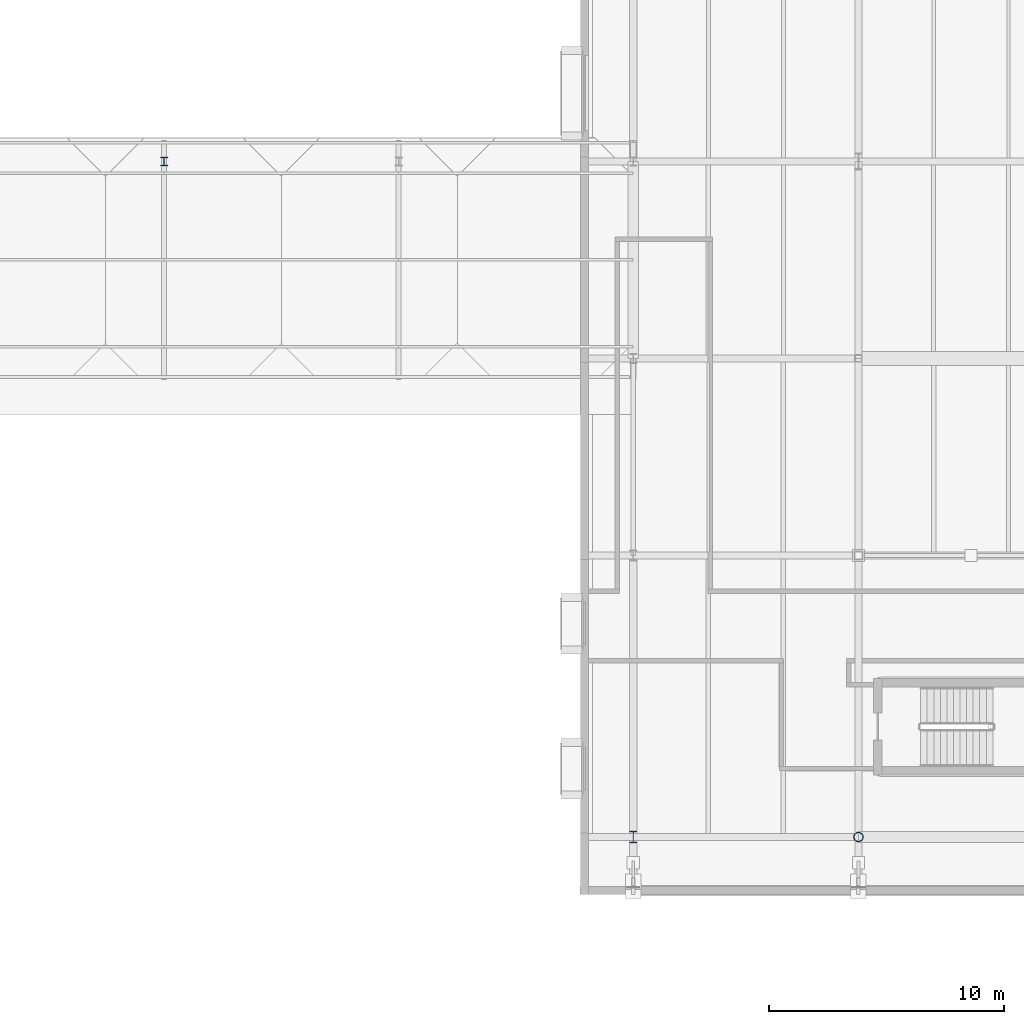
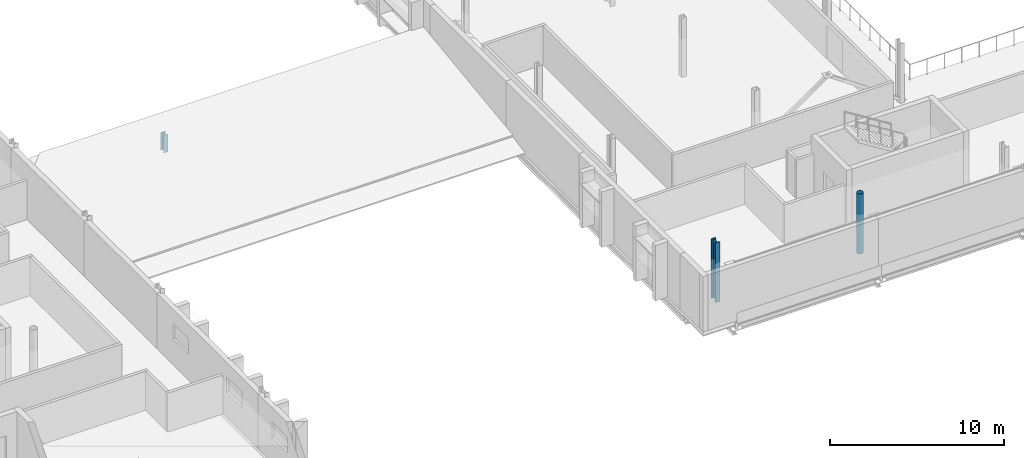
# One storey, part 4 of 90: 3 columns.
"""IFC4 building model written with IfcOpenShell, lengths in metres."""

from ifc_helpers import new_model, si_unit, direction, frame, origin, origin_2d, place, context, subcontext, project, spatial, hollow_circle, i_section, extrude, material, material_profile, profile_set, type_object, element, save


model = new_model("IFC4")

# Units and contexts
model_context = context("Model", 3, precision=1e-05, world=origin(), true_north=direction((0.0, 1.0)))
body_context = subcontext(model_context, "Body", "Model", "MODEL_VIEW")
ifc_project = project(units=[si_unit("LENGTHUNIT", "METRE"), si_unit("AREAUNIT", "SQUARE_METRE"), si_unit("VOLUMEUNIT", "CUBIC_METRE"), si_unit("PLANEANGLEUNIT", "RADIAN"), si_unit("MASSUNIT", "GRAM", prefix="KILO")], contexts=[model_context])

# Site, building, storey
site_placement = place(None, origin())
site = spatial("IfcSite", under=ifc_project, at=site_placement, CompositionType="ELEMENT")
building_placement = place(site_placement, origin())
building = spatial("IfcBuilding", under=site, at=building_placement, Name="Zereglee Splitstone Museum", CompositionType="ELEMENT")
storey_placement = place(building_placement, frame((0.0, 0.0, 4.800048828125)))
storey = spatial("IfcBuildingStorey", under=building, at=storey_placement, Name="L01", CompositionType="ELEMENT", Elevation=4.800048828125)

# Columns
ifc_material_1 = material(Name="Steel S355J2H", Category="steel")
ifc_material_profile_1 = material_profile(ifc_material_1, hollow_circle(Radius=0.203125, WallThickness=0.02001953125, at=origin_2d()), Name="CHS 406.4x20")
ifc_profile_set_1 = profile_set([ifc_material_profile_1], Name="Steel S355J2H")
column_type_1 = type_object("IfcColumnType", Name="C-18", PredefinedType="COLUMN", material=ifc_profile_set_1)
column_1_placement = place(storey_placement, frame((87.60009765625, 9.60009765625, 0.0), z_axis=(0.0, 0.0, 1.0), x_axis=(1.0, 0.0, 0.0)))
element("IfcColumn", 1, at=column_1_placement, inside=storey, type_object=column_type_1, Name="Column 11/B L01", PredefinedType="COLUMN", context=body_context, shape_type="SweptSolid", body=[
    extrude(hollow_circle(Radius=0.203125, WallThickness=0.02001953125, at=origin_2d()), origin(), (0.0, 0.0, 1.0), 4.199951171875),
])
ifc_material_2 = material(Name="Steel S355J2", Category="steel")
ifc_material_profile_2 = material_profile(ifc_material_2, i_section(OverallWidth=0.300048828125, OverallDepth=0.360107421875, WebThickness=0.012451171875, FlangeThickness=0.0224609375, FilletRadius=0.027099609375, at=origin_2d()), Name="HE 360 B")
ifc_profile_set_2 = profile_set([ifc_material_profile_2], Name="Steel S355J2")
column_type_2 = type_object("IfcColumnType", Name="C-16", PredefinedType="COLUMN", material=ifc_profile_set_2)
column_2_placement = place(storey_placement, frame((58.0, 38.39990234375, 0.0), z_axis=(0.0, 0.0, 1.0), x_axis=(1.0, 0.0, 0.0)))
element("IfcColumn", 2, at=column_2_placement, inside=storey, type_object=column_type_2, Name="Roof Support Column RF-L1 (58.0,38.4)", PredefinedType="COLUMN", context=body_context, shape_type="SweptSolid", body=[
    extrude(i_section(OverallWidth=0.300048828125, OverallDepth=0.360107421875, WebThickness=0.012451171875, FlangeThickness=0.0224609375, FilletRadius=0.027099609375, at=origin_2d()), origin(), (0.0, 0.0, 1.0), 1.2451171875),
])
ifc_material_profile_3 = material_profile(ifc_material_2, i_section(OverallWidth=0.300048828125, OverallDepth=0.5, WebThickness=0.014404296875, FlangeThickness=0.028076171875, FilletRadius=0.027099609375, at=origin_2d()), Name="HE 500 B")
ifc_profile_set_3 = profile_set([ifc_material_profile_3], Name="Steel S355J2")
column_type_3 = type_object("IfcColumnType", Name="C-13", PredefinedType="COLUMN", material=ifc_profile_set_3)
column_3_placement = place(storey_placement, frame((78.0, 9.60009765625, 0.0), z_axis=(0.0, 0.0, 1.0), x_axis=(1.0, 0.0, 0.0)))
element("IfcColumn", 3, at=column_3_placement, inside=storey, type_object=column_type_3, Name="Column 10/B L01", PredefinedType="COLUMN", context=body_context, shape_type="SweptSolid", body=[
    extrude(i_section(OverallWidth=0.300048828125, OverallDepth=0.5, WebThickness=0.014404296875, FlangeThickness=0.028076171875, FilletRadius=0.027099609375, at=origin_2d()), origin(), (0.0, 0.0, 1.0), 4.199951171875),
])

save(model, "model.ifc")
